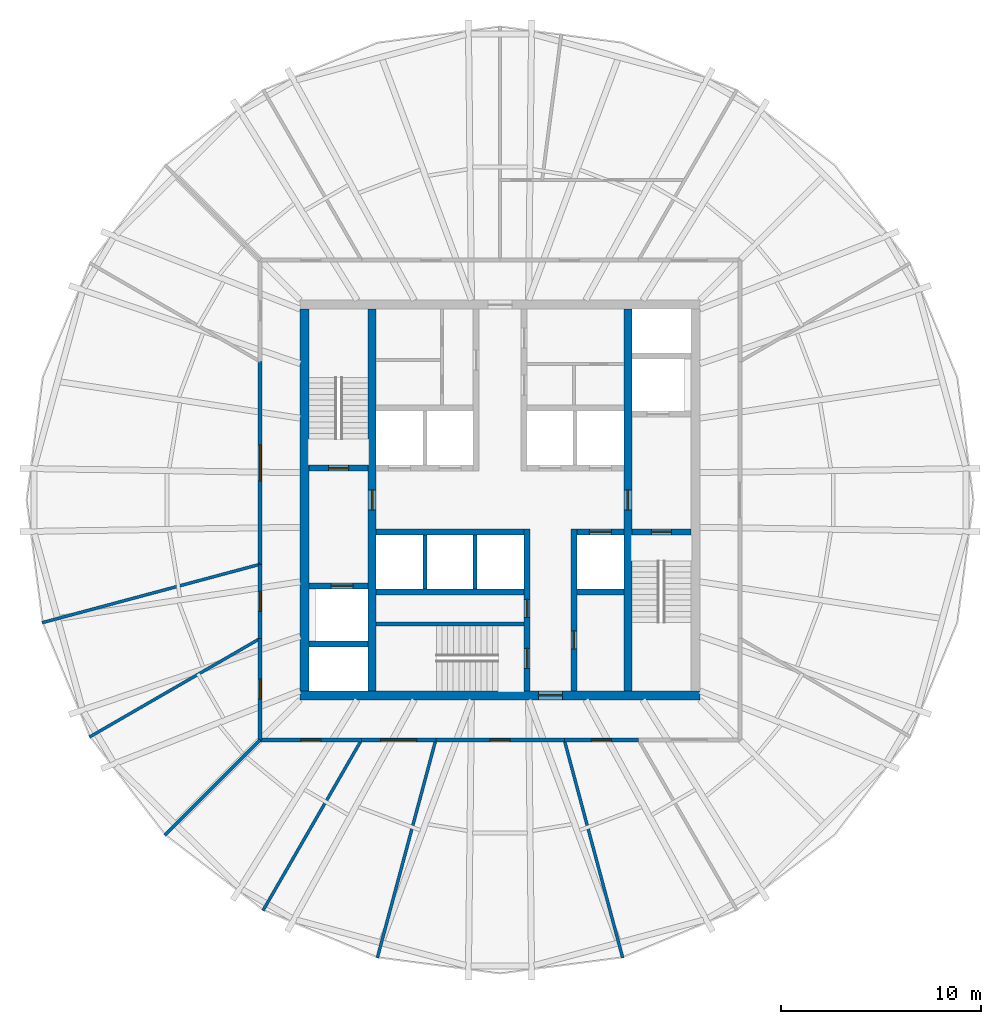
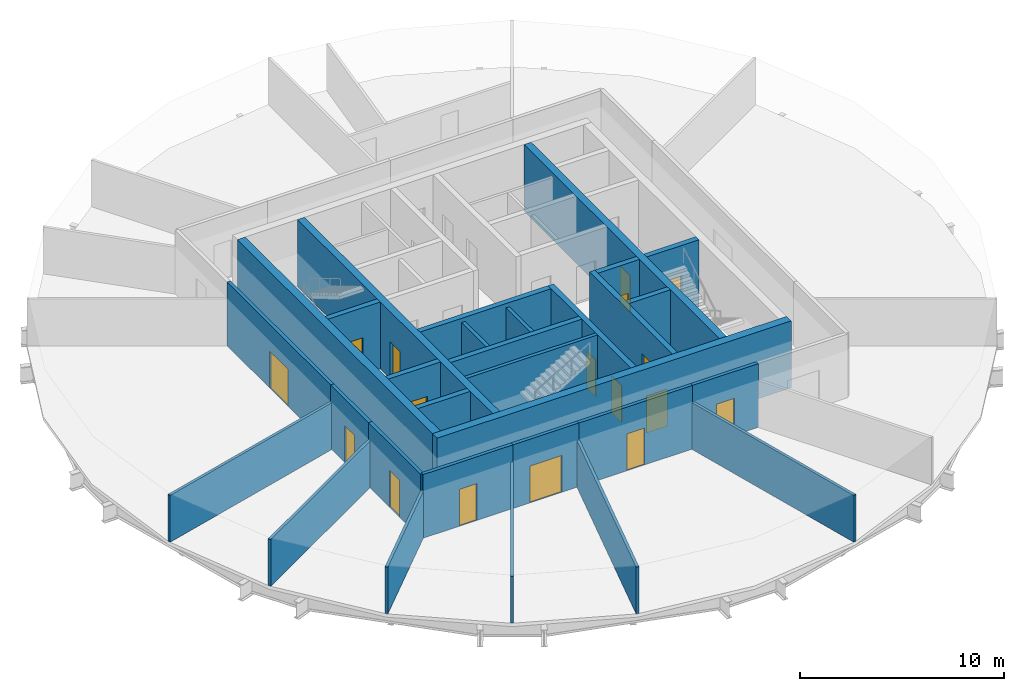
# One storey, part 3 of 6: 30 walls, 17 doors, 17 openings.
"""IFC4 building model written with IfcOpenShell, lengths in metres."""

from ifc_helpers import new_model, si_unit, direction, frame, frame_2d, origin, place, context, subcontext, project, spatial, rectangle, extrude, material, layer, layer_set, type_object, element, fill, save


model = new_model("IFC4")

# Units and contexts
model_context = context("Model", 3, precision=1e-05, world=origin(), true_north=direction((0.0, 1.0)))
body_context = subcontext(model_context, "Body", "Model", "MODEL_VIEW")
ifc_project = project(units=[si_unit("LENGTHUNIT", "METRE"), si_unit("AREAUNIT", "SQUARE_METRE"), si_unit("VOLUMEUNIT", "CUBIC_METRE"), si_unit("PLANEANGLEUNIT", "RADIAN"), si_unit("MASSUNIT", "GRAM", prefix="KILO")], contexts=[model_context])

# Site, building, storey
site_placement = place(None, origin())
site = spatial("IfcSite", under=ifc_project, at=site_placement, CompositionType="ELEMENT")
building_placement = place(site_placement, origin())
building = spatial("IfcBuilding", under=site, at=building_placement, Name="Golbaran Civic Tower", CompositionType="ELEMENT")
storey_placement = place(building_placement, frame((0.0, 0.0, 187.0)))
storey = spatial("IfcBuildingStorey", under=building, at=storey_placement, Name="L45", CompositionType="ELEMENT", Elevation=187.0)

# Wall, opening, door
ifc_material_1 = material(Name="Concrete C50/60", Category="concrete")
ifc_layer_1 = layer(ifc_material_1, 0.39990234375, Name="Concrete C50/60")
ifc_layer_set_1 = layer_set([ifc_layer_1], Name="Concrete C50/60")
wall_type_1 = type_object("IfcWallType", Name="CORE WALL CONCRETE 400", PredefinedType="SOLIDWALL", material=ifc_layer_set_1)
wall_1_placement = place(storey_placement, frame((-6.39990234375, -9.550048828125, 0.0), z_axis=(0.0, 0.0, 1.0), x_axis=(0.0, 1.0, 0.0)))
wall_1 = element("IfcWall", 1, at=wall_1_placement, inside=storey, type_object=wall_type_1, Name="Core wall IW L45", PredefinedType="SOLIDWALL", context=body_context, shape_type="SweptSolid", body=[
    extrude(rectangle(XDim=19.10009765625, YDim=0.39990234375, at=frame_2d((9.550048828125, 0.0))), origin(), (0.0, 0.0, 1.0), 4.0),
])
opening_1_placement = place(wall_1_placement, frame((9.050048828125, 0.0, 0.0)))
opening_1 = element("IfcOpeningElement", 2, at=opening_1_placement, cuts=wall_1, Name="Opening L45.FL1", PredefinedType="OPENING", context=body_context, shape_type="SweptSolid", body=[
    extrude(rectangle(XDim=1.0, YDim=2.199951171875, at=frame_2d((0.5, 1.10009765625))), frame((0.0, 0.2099609375, 0.0), z_axis=(0.0, -1.0, 0.0), x_axis=(1.0, 0.0, 0.0)), (0.0, 0.0, 1.0), 0.419921875),
])
ifc_material_2 = material(Name="Timber door set in steel frame", Category="steel")
door_type_1 = type_object("IfcDoorType", Name="STAIR DOOR 1000x2200", OperationType="SINGLE_SWING_LEFT", PredefinedType="DOOR", material=ifc_material_2)
door_1_placement = place(opening_1_placement, origin())
door_1 = element("IfcDoor", 3, at=door_1_placement, inside=storey, type_object=door_type_1, Name="Fire-fighting lobby FL1 door", OperationType="SINGLE_SWING_LEFT", OverallHeight=2.199951171875, OverallWidth=1.0, PredefinedType="DOOR", context=body_context, shape_type="SweptSolid", body=[
    extrude(rectangle(XDim=1.0, YDim=2.199951171875, at=frame_2d((0.5, 1.10009765625))), frame((0.0, 0.02490234375, 0.0), z_axis=(0.0, -1.0, 0.0), x_axis=(1.0, 0.0, 0.0)), (0.0, 0.0, 1.0), 0.050048828125),
])
fill(opening_1, door_1)

wall_2_placement = place(storey_placement, frame((6.39990234375, 9.550048828125, 0.0), z_axis=(0.0, 0.0, 1.0), x_axis=(0.0, -1.0, 0.0)))
wall_2 = element("IfcWall", 4, at=wall_2_placement, inside=storey, type_object=wall_type_1, Name="Core wall IE L45", PredefinedType="SOLIDWALL", context=body_context, shape_type="SweptSolid", body=[
    extrude(rectangle(XDim=19.10009765625, YDim=0.39990234375, at=frame_2d((9.550048828125, 0.0))), origin(), (0.0, 0.0, 1.0), 4.0),
])
opening_2_placement = place(wall_2_placement, frame((9.050048828125, 0.0, 0.0)))
opening_2 = element("IfcOpeningElement", 5, at=opening_2_placement, cuts=wall_2, Name="Opening L45.FL2", PredefinedType="OPENING", context=body_context, shape_type="SweptSolid", body=[
    extrude(rectangle(XDim=1.0, YDim=2.199951171875, at=frame_2d((0.5, 1.10009765625))), frame((0.0, 0.2099609375, 0.0), z_axis=(0.0, -1.0, 0.0), x_axis=(1.0, 0.0, 0.0)), (0.0, 0.0, 1.0), 0.419921875),
])
door_2_placement = place(opening_2_placement, origin())
door_2 = element("IfcDoor", 6, at=door_2_placement, inside=storey, type_object=door_type_1, Name="Fire-fighting lobby FL2 door", OperationType="SINGLE_SWING_RIGHT", OverallHeight=2.199951171875, OverallWidth=1.0, PredefinedType="DOOR", context=body_context, shape_type="SweptSolid", body=[
    extrude(rectangle(XDim=1.0, YDim=2.199951171875, at=frame_2d((0.5, 1.10009765625))), frame((0.0, 0.02490234375, 0.0), z_axis=(0.0, -1.0, 0.0), x_axis=(1.0, 0.0, 0.0)), (0.0, 0.0, 1.0), 0.050048828125),
])
fill(opening_2, door_2)

ifc_layer_2 = layer(ifc_material_1, 0.449951171875, Name="Concrete C50/60")
ifc_layer_set_2 = layer_set([ifc_layer_2], Name="Concrete C50/60")
wall_type_2 = type_object("IfcWallType", Name="CORE WALL CONCRETE 450", PredefinedType="SOLIDWALL", material=ifc_layer_set_2)
wall_3_placement = place(storey_placement, frame((10.0, -9.77490234375, 0.0), z_axis=(0.0, 0.0, 1.0), x_axis=(-1.0, 0.0, 0.0)))
wall_3 = element("IfcWall", 7, at=wall_3_placement, inside=storey, type_object=wall_type_2, Name="Core wall CS L45", PredefinedType="SOLIDWALL", context=body_context, shape_type="SweptSolid", body=[
    extrude(rectangle(XDim=20.0, YDim=0.449951171875, at=frame_2d((10.0, 0.0))), origin(), (0.0, 0.0, 1.0), 4.0),
])
opening_3_placement = place(wall_3_placement, frame((6.875, 0.0, 0.0)))
opening_3 = element("IfcOpeningElement", 8, at=opening_3_placement, cuts=wall_3, Name="Opening L45.CS", PredefinedType="OPENING", context=body_context, shape_type="SweptSolid", body=[
    extrude(rectangle(XDim=1.199951171875, YDim=2.199951171875, at=frame_2d((0.60009765625, 1.10009765625))), frame((0.0, 0.23486328125, 0.0), z_axis=(0.0, -1.0, 0.0), x_axis=(1.0, 0.0, 0.0)), (0.0, 0.0, 1.0), 0.469970703125),
])
door_type_2 = type_object("IfcDoorType", Name="CORE DOOR 1200x2200", OperationType="DOUBLE_DOOR_SINGLE_SWING", PredefinedType="DOOR", material=ifc_material_2)
door_3_placement = place(opening_3_placement, origin())
door_3 = element("IfcDoor", 9, at=door_3_placement, inside=storey, type_object=door_type_2, Name="Core door south", OperationType="DOUBLE_DOOR_SINGLE_SWING", OverallHeight=2.199951171875, OverallWidth=1.199951171875, PredefinedType="DOOR", context=body_context, shape_type="SweptSolid", body=[
    extrude(rectangle(XDim=1.199951171875, YDim=2.199951171875, at=frame_2d((0.60009765625, 1.10009765625))), frame((0.0, 0.02490234375, 0.0), z_axis=(0.0, -1.0, 0.0), x_axis=(1.0, 0.0, 0.0)), (0.0, 0.0, 1.0), 0.050048828125),
])
fill(opening_3, door_3)

# Wall
wall_4_placement = place(storey_placement, frame((-9.77490234375, 9.550048828125, 0.0), z_axis=(0.0, 0.0, 1.0), x_axis=(0.0, -1.0, 0.0)))
element("IfcWall", 10, at=wall_4_placement, inside=storey, type_object=wall_type_2, Name="Core wall CW L45", PredefinedType="SOLIDWALL", context=body_context, shape_type="SweptSolid", body=[
    extrude(rectangle(XDim=19.10009765625, YDim=0.449951171875, at=frame_2d((9.550048828125, 0.0))), origin(), (0.0, 0.0, 1.0), 4.0),
])

# Wall, opening, door
ifc_material_3 = material(Name="Gypsum board on steel studs, fire-rated", Category="steel")
ifc_layer_3 = layer(ifc_material_3, 0.199951171875, Name="Gypsum board on steel studs, fire-rated")
ifc_layer_set_3 = layer_set([ifc_layer_3], Name="Gypsum board on steel studs, fire-rated")
wall_type_3 = type_object("IfcWallType", Name="CORRIDOR WALL 200", PredefinedType="PARTITIONING", material=ifc_layer_set_3)
wall_5_placement = place(storey_placement, frame((-12.0, 6.92822265625, 0.0), z_axis=(0.0, 0.0, 1.0), x_axis=(0.0, -1.0, 0.0)))
wall_5 = element("IfcWall", 11, at=wall_5_placement, inside=storey, type_object=wall_type_3, Name="Corridor wall L45", PredefinedType="PARTITIONING", context=body_context, shape_type="SweptSolid", body=[
    extrude(rectangle(XDim=10.1435546875, YDim=0.199951171875, at=frame_2d((5.07177734375, 0.0))), origin(), (0.0, 0.0, 1.0), 3.800048828125),
])
opening_4_placement = place(wall_5_placement, frame((4.171875, 0.0, 0.0)))
opening_4 = element("IfcOpeningElement", 12, at=opening_4_placement, cuts=wall_5, Name="Opening L45.10", PredefinedType="OPENING", context=body_context, shape_type="SweptSolid", body=[
    extrude(rectangle(XDim=1.800048828125, YDim=2.199951171875, at=frame_2d((0.89990234375, 1.10009765625))), frame((0.0, 0.10986328125, 0.0), z_axis=(0.0, -1.0, 0.0), x_axis=(1.0, 0.0, 0.0)), (0.0, 0.0, 1.0), 0.219970703125),
])
door_type_3 = type_object("IfcDoorType", Name="OFFICE DOUBLE DOOR 1800x2200", OperationType="DOUBLE_DOOR_SINGLE_SWING", PredefinedType="DOOR", material=ifc_material_2)
door_4_placement = place(opening_4_placement, origin())
door_4 = element("IfcDoor", 13, at=door_4_placement, inside=storey, type_object=door_type_3, Name="IT Services Office door L45", OperationType="DOUBLE_DOOR_SINGLE_SWING", OverallHeight=2.199951171875, OverallWidth=1.800048828125, PredefinedType="DOOR", context=body_context, shape_type="SweptSolid", body=[
    extrude(rectangle(XDim=1.800048828125, YDim=2.199951171875, at=frame_2d((0.89990234375, 1.10009765625))), frame((0.0, 0.02490234375, 0.0), z_axis=(0.0, -1.0, 0.0), x_axis=(1.0, 0.0, 0.0)), (0.0, 0.0, 1.0), 0.050048828125),
])
fill(opening_4, door_4)

wall_6_placement = place(storey_placement, frame((-12.0, -3.21533203125, 0.0), z_axis=(0.0, 0.0, 1.0), x_axis=(0.0, -1.0, 0.0)))
wall_6 = element("IfcWall", 14, at=wall_6_placement, inside=storey, type_object=wall_type_3, Name="Corridor wall L45", PredefinedType="PARTITIONING", context=body_context, shape_type="SweptSolid", body=[
    extrude(rectangle(XDim=3.712890625, YDim=0.199951171875, at=frame_2d((1.8564453125, 0.0))), origin(), (0.0, 0.0, 1.0), 3.800048828125),
])
opening_5_placement = place(wall_6_placement, frame((1.3564453125, 0.0, 0.0)))
opening_5 = element("IfcOpeningElement", 15, at=opening_5_placement, cuts=wall_6, Name="Opening L45.11", PredefinedType="OPENING", context=body_context, shape_type="SweptSolid", body=[
    extrude(rectangle(XDim=1.0, YDim=2.199951171875, at=frame_2d((0.5, 1.10009765625))), frame((0.0, 0.10986328125, 0.0), z_axis=(0.0, -1.0, 0.0), x_axis=(1.0, 0.0, 0.0)), (0.0, 0.0, 1.0), 0.219970703125),
])
door_type_4 = type_object("IfcDoorType", Name="OFFICE DOOR 1000x2200", OperationType="SINGLE_SWING_LEFT", PredefinedType="DOOR", material=ifc_material_2)
door_5_placement = place(opening_5_placement, origin())
door_5 = element("IfcDoor", 16, at=door_5_placement, inside=storey, type_object=door_type_4, Name="Project Room door L45", OperationType="SINGLE_SWING_RIGHT", OverallHeight=2.199951171875, OverallWidth=1.0, PredefinedType="DOOR", context=body_context, shape_type="SweptSolid", body=[
    extrude(rectangle(XDim=1.0, YDim=2.199951171875, at=frame_2d((0.5, 1.10009765625))), frame((0.0, 0.02490234375, 0.0), z_axis=(0.0, -1.0, 0.0), x_axis=(1.0, 0.0, 0.0)), (0.0, 0.0, 1.0), 0.050048828125),
])
fill(opening_5, door_5)

wall_7_placement = place(storey_placement, frame((-12.0, -6.92822265625, 0.0), z_axis=(0.0, 0.0, 1.0), x_axis=(0.0, -1.0, 0.0)))
wall_7 = element("IfcWall", 17, at=wall_7_placement, inside=storey, type_object=wall_type_3, Name="Corridor wall L45", PredefinedType="PARTITIONING", context=body_context, shape_type="SweptSolid", body=[
    extrude(rectangle(XDim=5.07177734375, YDim=0.199951171875, at=frame_2d((2.535888671875, 0.0))), origin(), (0.0, 0.0, 1.0), 3.800048828125),
])
opening_6_placement = place(wall_7_placement, frame((2.035888671875, 0.0, 0.0)))
opening_6 = element("IfcOpeningElement", 18, at=opening_6_placement, cuts=wall_7, Name="Opening L45.12", PredefinedType="OPENING", context=body_context, shape_type="SweptSolid", body=[
    extrude(rectangle(XDim=1.0, YDim=2.199951171875, at=frame_2d((0.5, 1.10009765625))), frame((0.0, 0.10986328125, 0.0), z_axis=(0.0, -1.0, 0.0), x_axis=(1.0, 0.0, 0.0)), (0.0, 0.0, 1.0), 0.219970703125),
])
door_6_placement = place(opening_6_placement, origin())
door_6 = element("IfcDoor", 19, at=door_6_placement, inside=storey, type_object=door_type_4, Name="Meeting Room door L45", OperationType="SINGLE_SWING_RIGHT", OverallHeight=2.199951171875, OverallWidth=1.0, PredefinedType="DOOR", context=body_context, shape_type="SweptSolid", body=[
    extrude(rectangle(XDim=1.0, YDim=2.199951171875, at=frame_2d((0.5, 1.10009765625))), frame((0.0, 0.02490234375, 0.0), z_axis=(0.0, -1.0, 0.0), x_axis=(1.0, 0.0, 0.0)), (0.0, 0.0, 1.0), 0.050048828125),
])
fill(opening_6, door_6)

wall_8_placement = place(storey_placement, frame((-12.0, -12.0, 0.0), z_axis=(0.0, 0.0, 1.0), x_axis=(1.0, 0.0, 0.0)))
wall_8 = element("IfcWall", 20, at=wall_8_placement, inside=storey, type_object=wall_type_3, Name="Corridor wall L45", PredefinedType="PARTITIONING", context=body_context, shape_type="SweptSolid", body=[
    extrude(rectangle(XDim=5.07177734375, YDim=0.199951171875, at=frame_2d((2.535888671875, 0.0))), origin(), (0.0, 0.0, 1.0), 3.800048828125),
])
opening_7_placement = place(wall_8_placement, frame((2.035888671875, 0.0, 0.0)))
opening_7 = element("IfcOpeningElement", 21, at=opening_7_placement, cuts=wall_8, Name="Opening L45.13", PredefinedType="OPENING", context=body_context, shape_type="SweptSolid", body=[
    extrude(rectangle(XDim=1.0, YDim=2.199951171875, at=frame_2d((0.5, 1.10009765625))), frame((0.0, 0.10986328125, 0.0), z_axis=(0.0, -1.0, 0.0), x_axis=(1.0, 0.0, 0.0)), (0.0, 0.0, 1.0), 0.219970703125),
])
door_7_placement = place(opening_7_placement, origin())
door_7 = element("IfcDoor", 22, at=door_7_placement, inside=storey, type_object=door_type_4, Name="Store door L45", OperationType="SINGLE_SWING_LEFT", OverallHeight=2.199951171875, OverallWidth=1.0, PredefinedType="DOOR", context=body_context, shape_type="SweptSolid", body=[
    extrude(rectangle(XDim=1.0, YDim=2.199951171875, at=frame_2d((0.5, 1.10009765625))), frame((0.0, 0.02490234375, 0.0), z_axis=(0.0, -1.0, 0.0), x_axis=(1.0, 0.0, 0.0)), (0.0, 0.0, 1.0), 0.050048828125),
])
fill(opening_7, door_7)

wall_9_placement = place(storey_placement, frame((-6.92822265625, -12.0, 0.0), z_axis=(0.0, 0.0, 1.0), x_axis=(1.0, 0.0, 0.0)))
wall_9 = element("IfcWall", 23, at=wall_9_placement, inside=storey, type_object=wall_type_3, Name="Corridor wall L45", PredefinedType="PARTITIONING", context=body_context, shape_type="SweptSolid", body=[
    extrude(rectangle(XDim=3.712890625, YDim=0.199951171875, at=frame_2d((1.8564453125, 0.0))), origin(), (0.0, 0.0, 1.0), 3.800048828125),
])
opening_8_placement = place(wall_9_placement, frame((0.956298828125, 0.0, 0.0)))
opening_8 = element("IfcOpeningElement", 24, at=opening_8_placement, cuts=wall_9, Name="Opening L45.14", PredefinedType="OPENING", context=body_context, shape_type="SweptSolid", body=[
    extrude(rectangle(XDim=1.800048828125, YDim=2.199951171875, at=frame_2d((0.89990234375, 1.10009765625))), frame((0.0, 0.10986328125, 0.0), z_axis=(0.0, -1.0, 0.0), x_axis=(1.0, 0.0, 0.0)), (0.0, 0.0, 1.0), 0.219970703125),
])
door_8_placement = place(opening_8_placement, origin())
door_8 = element("IfcDoor", 25, at=door_8_placement, inside=storey, type_object=door_type_3, Name="GIS and Mapping Office door L45", OperationType="DOUBLE_DOOR_SINGLE_SWING", OverallHeight=2.199951171875, OverallWidth=1.800048828125, PredefinedType="DOOR", context=body_context, shape_type="SweptSolid", body=[
    extrude(rectangle(XDim=1.800048828125, YDim=2.199951171875, at=frame_2d((0.89990234375, 1.10009765625))), frame((0.0, 0.02490234375, 0.0), z_axis=(0.0, -1.0, 0.0), x_axis=(1.0, 0.0, 0.0)), (0.0, 0.0, 1.0), 0.050048828125),
])
fill(opening_8, door_8)

wall_10_placement = place(storey_placement, frame((-3.21533203125, -12.0, 0.0), z_axis=(0.0, 0.0, 1.0), x_axis=(1.0, 0.0, 0.0)))
wall_10 = element("IfcWall", 26, at=wall_10_placement, inside=storey, type_object=wall_type_3, Name="Corridor wall L45", PredefinedType="PARTITIONING", context=body_context, shape_type="SweptSolid", body=[
    extrude(rectangle(XDim=6.4306640625, YDim=0.199951171875, at=frame_2d((3.21533203125, 0.0))), origin(), (0.0, 0.0, 1.0), 3.800048828125),
])
opening_9_placement = place(wall_10_placement, frame((2.71533203125, 0.0, 0.0)))
opening_9 = element("IfcOpeningElement", 27, at=opening_9_placement, cuts=wall_10, Name="Opening L45.15", PredefinedType="OPENING", context=body_context, shape_type="SweptSolid", body=[
    extrude(rectangle(XDim=1.0, YDim=2.199951171875, at=frame_2d((0.5, 1.10009765625))), frame((0.0, 0.10986328125, 0.0), z_axis=(0.0, -1.0, 0.0), x_axis=(1.0, 0.0, 0.0)), (0.0, 0.0, 1.0), 0.219970703125),
])
door_9_placement = place(opening_9_placement, origin())
door_9 = element("IfcDoor", 28, at=door_9_placement, inside=storey, type_object=door_type_4, Name="Project Room door L45", OperationType="SINGLE_SWING_LEFT", OverallHeight=2.199951171875, OverallWidth=1.0, PredefinedType="DOOR", context=body_context, shape_type="SweptSolid", body=[
    extrude(rectangle(XDim=1.0, YDim=2.199951171875, at=frame_2d((0.5, 1.10009765625))), frame((0.0, 0.02490234375, 0.0), z_axis=(0.0, -1.0, 0.0), x_axis=(1.0, 0.0, 0.0)), (0.0, 0.0, 1.0), 0.050048828125),
])
fill(opening_9, door_9)

wall_11_placement = place(storey_placement, frame((3.21533203125, -12.0, 0.0), z_axis=(0.0, 0.0, 1.0), x_axis=(1.0, 0.0, 0.0)))
wall_11 = element("IfcWall", 29, at=wall_11_placement, inside=storey, type_object=wall_type_3, Name="Corridor wall L45", PredefinedType="PARTITIONING", context=body_context, shape_type="SweptSolid", body=[
    extrude(rectangle(XDim=3.712890625, YDim=0.199951171875, at=frame_2d((1.8564453125, 0.0))), origin(), (0.0, 0.0, 1.0), 3.800048828125),
])
opening_10_placement = place(wall_11_placement, frame((1.3564453125, 0.0, 0.0)))
opening_10 = element("IfcOpeningElement", 30, at=opening_10_placement, cuts=wall_11, Name="Opening L45.16", PredefinedType="OPENING", context=body_context, shape_type="SweptSolid", body=[
    extrude(rectangle(XDim=1.0, YDim=2.199951171875, at=frame_2d((0.5, 1.10009765625))), frame((0.0, 0.10986328125, 0.0), z_axis=(0.0, -1.0, 0.0), x_axis=(1.0, 0.0, 0.0)), (0.0, 0.0, 1.0), 0.219970703125),
])
door_10_placement = place(opening_10_placement, origin())
door_10 = element("IfcDoor", 31, at=door_10_placement, inside=storey, type_object=door_type_4, Name="Store door L45", OperationType="SINGLE_SWING_LEFT", OverallHeight=2.199951171875, OverallWidth=1.0, PredefinedType="DOOR", context=body_context, shape_type="SweptSolid", body=[
    extrude(rectangle(XDim=1.0, YDim=2.199951171875, at=frame_2d((0.5, 1.10009765625))), frame((0.0, 0.02490234375, 0.0), z_axis=(0.0, -1.0, 0.0), x_axis=(1.0, 0.0, 0.0)), (0.0, 0.0, 1.0), 0.050048828125),
])
fill(opening_10, door_10)

# Walls
ifc_material_4 = material(Name="Concrete block", Category="concrete")
ifc_layer_4 = layer(ifc_material_4, 0.199951171875, Name="Concrete block")
ifc_layer_set_4 = layer_set([ifc_layer_4], Name="Concrete block")
wall_type_4 = type_object("IfcWallType", Name="LIFT SEPARATOR WALL 200", PredefinedType="SOLIDWALL", material=ifc_layer_set_4)
for number, where, z_axis, x_axis, name in (
    (32, (-3.75, -1.75, 0.0), (0.0, 0.0, 1.0), (0.0, -1.0, 0.0), "Core partition SSW L45"),
    (33, (-1.25, -1.75, 0.0), (0.0, 0.0, 1.0), (0.0, -1.0, 0.0), "Core partition SSM L45"),
):
    element("IfcWall", number, at=place(storey_placement, frame(where, z_axis=z_axis, x_axis=x_axis)), inside=storey, type_object=wall_type_4, Name=name, PredefinedType="SOLIDWALL", context=body_context, shape_type="SweptSolid", body=[
        extrude(rectangle(XDim=2.699951171875, YDim=0.199951171875, at=frame_2d((1.35009765625, 0.0))), origin(), (0.0, 0.0, 1.0), 3.75),
    ])
ifc_material_5 = material(Name="Gypsum board on steel studs", Category="steel")
ifc_layer_5 = layer(ifc_material_5, 0.14990234375, Name="Gypsum board on steel studs")
ifc_layer_set_5 = layer_set([ifc_layer_5], Name="Gypsum board on steel studs")
wall_type_5 = type_object("IfcWallType", Name="OFFICE PARTITION 150", PredefinedType="PARTITIONING", material=ifc_layer_set_5)
wall_12_placement = place(storey_placement, frame((-12.0, -3.21533203125, 0.0), z_axis=(0.0, 0.0, 1.0), x_axis=(-0.965926155577, -0.258817816178, 0.0)))
element("IfcWall", 34, at=wall_12_placement, inside=storey, type_object=wall_type_5, Name="Partition 195 L45", PredefinedType="PARTITIONING", context=body_context, shape_type="SweptSolid", body=[
    extrude(rectangle(XDim=11.2978515625, YDim=0.14990234375, at=frame_2d((5.64892578125, 0.0))), origin(), (0.0, 0.0, 1.0), 2.7900390625),
])
wall_13_placement = place(storey_placement, frame((-12.0, -6.92822265625, 0.0), z_axis=(0.0, 0.0, 1.0), x_axis=(-0.866027739639, -0.49999595416, 0.0)))
element("IfcWall", 35, at=wall_13_placement, inside=storey, type_object=wall_type_5, Name="Partition 210 L45", PredefinedType="PARTITIONING", context=body_context, shape_type="SweptSolid", body=[
    extrude(rectangle(XDim=9.86474609375, YDim=0.14990234375, at=frame_2d((4.932373046875, 0.0))), origin(), (0.0, 0.0, 1.0), 2.7900390625),
])
wall_14_placement = place(storey_placement, frame((-12.0, -12.0, 0.0), z_axis=(0.0, 0.0, 1.0), x_axis=(-0.707106781187, -0.707106781187, 0.0)))
element("IfcWall", 36, at=wall_14_placement, inside=storey, type_object=wall_type_5, Name="Partition 225 L45", PredefinedType="PARTITIONING", context=body_context, shape_type="SweptSolid", body=[
    extrude(rectangle(XDim=6.750732421875, YDim=0.14990234375, at=frame_2d((3.37548828125, 0.0))), origin(), (0.0, 0.0, 1.0), 2.7900390625),
])
wall_15_placement = place(storey_placement, frame((-6.92822265625, -12.0, 0.0), z_axis=(0.0, 0.0, 1.0), x_axis=(-0.49999595416, -0.866027739639, 0.0)))
element("IfcWall", 37, at=wall_15_placement, inside=storey, type_object=wall_type_5, Name="Partition 240 L45", PredefinedType="PARTITIONING", context=body_context, shape_type="SweptSolid", body=[
    extrude(rectangle(XDim=9.86474609375, YDim=0.14990234375, at=frame_2d((4.932373046875, 0.0))), origin(), (0.0, 0.0, 1.0), 2.7900390625),
])
for number, where, z_axis, x_axis, name in (
    (38, (-3.21533203125, -12.0, 0.0), (0.0, 0.0, 1.0), (-0.258817816178, -0.965926155577, 0.0), "Partition 255 L45"),
    (39, (3.21533203125, -12.0, 0.0), (0.0, 0.0, 1.0), (0.258817816178, -0.965926155577, 0.0), "Partition 285 L45"),
):
    element("IfcWall", number, at=place(storey_placement, frame(where, z_axis=z_axis, x_axis=x_axis)), inside=storey, type_object=wall_type_5, Name=name, PredefinedType="PARTITIONING", context=body_context, shape_type="SweptSolid", body=[
        extrude(rectangle(XDim=11.2978515625, YDim=0.14990234375, at=frame_2d((5.64892578125, 0.0))), origin(), (0.0, 0.0, 1.0), 2.7900390625),
    ])
ifc_layer_6 = layer(ifc_material_1, 0.199951171875, Name="Concrete C50/60")
ifc_layer_set_6 = layer_set([ifc_layer_6], Name="Concrete C50/60")
wall_type_6 = type_object("IfcWallType", Name="SHAFT WALL CONCRETE 200", PredefinedType="SOLIDWALL", material=ifc_layer_set_6)
wall_16_placement = place(storey_placement, frame((-6.199951171875, -6.199951171875, 0.0), z_axis=(0.0, 0.0, 1.0), x_axis=(1.0, 0.0, 0.0)))
element("IfcWall", 40, at=wall_16_placement, inside=storey, type_object=wall_type_6, Name="Core wall S3N L45", PredefinedType="SOLIDWALL", context=body_context, shape_type="SweptSolid", body=[
    extrude(rectangle(XDim=7.39990234375, YDim=0.199951171875, at=frame_2d((3.699951171875, 0.0))), origin(), (0.0, 0.0, 1.0), 4.0),
])
ifc_layer_7 = layer(ifc_material_1, 0.300048828125, Name="Concrete C50/60")
ifc_layer_set_7 = layer_set([ifc_layer_7], Name="Concrete C50/60")
wall_type_7 = type_object("IfcWallType", Name="SHAFT WALL CONCRETE 300", PredefinedType="SOLIDWALL", material=ifc_layer_set_7)
wall_17_placement = place(storey_placement, frame((-6.199951171875, -1.60009765625, 0.0), z_axis=(0.0, 0.0, 1.0), x_axis=(1.0, 0.0, 0.0)))
element("IfcWall", 41, at=wall_17_placement, inside=storey, type_object=wall_type_7, Name="Core wall FSW L45", PredefinedType="SOLIDWALL", context=body_context, shape_type="SweptSolid", body=[
    extrude(rectangle(XDim=7.39990234375, YDim=0.300048828125, at=frame_2d((3.699951171875, 0.0))), origin(), (0.0, 0.0, 1.0), 4.0),
])

# Wall, opening, door
wall_18_placement = place(storey_placement, frame((3.85009765625, -1.60009765625, 0.0), z_axis=(0.0, 0.0, 1.0), x_axis=(1.0, 0.0, 0.0)))
wall_18 = element("IfcWall", 42, at=wall_18_placement, inside=storey, type_object=wall_type_7, Name="Core wall FSE L45", PredefinedType="SOLIDWALL", context=body_context, shape_type="SweptSolid", body=[
    extrude(rectangle(XDim=2.349853515625, YDim=0.300048828125, at=frame_2d((1.1748046875, 0.0))), origin(), (0.0, 0.0, 1.0), 4.0),
])
opening_11_placement = place(wall_18_placement, frame((0.625, 0.0, 0.0)))
opening_11 = element("IfcOpeningElement", 43, at=opening_11_placement, cuts=wall_18, Name="Opening L45.LD-V1", PredefinedType="OPENING", context=body_context, shape_type="SweptSolid", body=[
    extrude(rectangle(XDim=1.10009765625, YDim=2.199951171875, at=frame_2d((0.550048828125, 1.10009765625))), frame((0.0, 0.159912109375, 0.0), z_axis=(0.0, -1.0, 0.0), x_axis=(1.0, 0.0, 0.0)), (0.0, 0.0, 1.0), 0.320068359375),
])
ifc_material_6 = material(Name="Stainless steel", Category="steel")
door_type_5 = type_object("IfcDoorType", Name="LIFT LANDING DOOR 1100x2200", OperationType="SLIDING_TO_LEFT", PredefinedType="DOOR", material=ifc_material_6)
door_11_placement = place(opening_11_placement, origin())
door_11 = element("IfcDoor", 44, at=door_11_placement, inside=storey, type_object=door_type_5, Name="Lift landing door V1", OperationType="SLIDING_TO_LEFT", OverallHeight=2.199951171875, OverallWidth=1.10009765625, PredefinedType="DOOR", context=body_context, shape_type="SweptSolid", body=[
    extrude(rectangle(XDim=1.10009765625, YDim=2.199951171875, at=frame_2d((0.550048828125, 1.10009765625))), frame((0.0, 0.02490234375, 0.0), z_axis=(0.0, -1.0, 0.0), x_axis=(1.0, 0.0, 0.0)), (0.0, 0.0, 1.0), 0.050048828125),
])
fill(opening_11, door_11)

# Walls
wall_19_placement = place(storey_placement, frame((-6.199951171875, -4.60009765625, 0.0), z_axis=(0.0, 0.0, 1.0), x_axis=(1.0, 0.0, 0.0)))
element("IfcWall", 45, at=wall_19_placement, inside=storey, type_object=wall_type_7, Name="Core wall BSW L45", PredefinedType="SOLIDWALL", context=body_context, shape_type="SweptSolid", body=[
    extrude(rectangle(XDim=7.39990234375, YDim=0.300048828125, at=frame_2d((3.699951171875, 0.0))), origin(), (0.0, 0.0, 1.0), 4.0),
])
wall_20_placement = place(storey_placement, frame((3.85009765625, -4.60009765625, 0.0), z_axis=(0.0, 0.0, 1.0), x_axis=(1.0, 0.0, 0.0)))
element("IfcWall", 46, at=wall_20_placement, inside=storey, type_object=wall_type_7, Name="Core wall BSE L45", PredefinedType="SOLIDWALL", context=body_context, shape_type="SweptSolid", body=[
    extrude(rectangle(XDim=2.349853515625, YDim=0.300048828125, at=frame_2d((1.1748046875, 0.0))), origin(), (0.0, 0.0, 1.0), 4.0),
])

# Wall, openings, doors
wall_21_placement = place(storey_placement, frame((1.35009765625, -1.449951171875, 0.0), z_axis=(0.0, 0.0, 1.0), x_axis=(0.0, -1.0, 0.0)))
wall_21 = element("IfcWall", 47, at=wall_21_placement, inside=storey, type_object=wall_type_7, Name="Core wall PSW L45", PredefinedType="SOLIDWALL", context=body_context, shape_type="SweptSolid", body=[
    extrude(rectangle(XDim=8.10009765625, YDim=0.300048828125, at=frame_2d((4.050048828125, 0.0))), origin(), (0.0, 0.0, 1.0), 4.0),
])
opening_12_placement = place(wall_21_placement, frame((5.97509765625, 0.0, 0.0)))
opening_12 = element("IfcOpeningElement", 48, at=opening_12_placement, cuts=wall_21, Name="Opening L45.S3", PredefinedType="OPENING", context=body_context, shape_type="SweptSolid", body=[
    extrude(rectangle(XDim=1.0, YDim=2.199951171875, at=frame_2d((0.5, 1.10009765625))), frame((0.0, 0.159912109375, 0.0), z_axis=(0.0, -1.0, 0.0), x_axis=(1.0, 0.0, 0.0)), (0.0, 0.0, 1.0), 0.320068359375),
])
opening_13_placement = place(wall_21_placement, frame((3.52490234375, 0.0, 0.0)))
opening_13 = element("IfcOpeningElement", 49, at=opening_13_placement, cuts=wall_21, Name="Opening L45.RE", PredefinedType="OPENING", context=body_context, shape_type="SweptSolid", body=[
    extrude(rectangle(XDim=0.89990234375, YDim=2.199951171875, at=frame_2d((0.449951171875, 1.10009765625))), frame((0.0, 0.159912109375, 0.0), z_axis=(0.0, -1.0, 0.0), x_axis=(1.0, 0.0, 0.0)), (0.0, 0.0, 1.0), 0.320068359375),
])
door_type_6 = type_object("IfcDoorType", Name="RISER DOOR 900x2200", OperationType="SINGLE_SWING_LEFT", PredefinedType="DOOR", material=ifc_material_2)
door_12_placement = place(opening_13_placement, origin())
door_12 = element("IfcDoor", 50, at=door_12_placement, inside=storey, type_object=door_type_6, Name="Electrical riser door", OperationType="SINGLE_SWING_LEFT", OverallHeight=2.199951171875, OverallWidth=0.89990234375, PredefinedType="DOOR", context=body_context, shape_type="SweptSolid", body=[
    extrude(rectangle(XDim=0.89990234375, YDim=2.199951171875, at=frame_2d((0.449951171875, 1.10009765625))), frame((0.0, 0.02490234375, 0.0), z_axis=(0.0, -1.0, 0.0), x_axis=(1.0, 0.0, 0.0)), (0.0, 0.0, 1.0), 0.050048828125),
])
fill(opening_13, door_12)
door_13_placement = place(opening_12_placement, origin())
door_13 = element("IfcDoor", 51, at=door_13_placement, inside=storey, type_object=door_type_1, Name="Stair S3 door", OperationType="SINGLE_SWING_RIGHT", OverallHeight=2.199951171875, OverallWidth=1.0, PredefinedType="DOOR", context=body_context, shape_type="SweptSolid", body=[
    extrude(rectangle(XDim=1.0, YDim=2.199951171875, at=frame_2d((0.5, 1.10009765625))), frame((0.0, 0.02490234375, 0.0), z_axis=(0.0, -1.0, 0.0), x_axis=(1.0, 0.0, 0.0)), (0.0, 0.0, 1.0), 0.050048828125),
])
fill(opening_12, door_13)

# Wall, opening, door
wall_22_placement = place(storey_placement, frame((3.699951171875, -1.449951171875, 0.0), z_axis=(0.0, 0.0, 1.0), x_axis=(0.0, -1.0, 0.0)))
wall_22 = element("IfcWall", 52, at=wall_22_placement, inside=storey, type_object=wall_type_7, Name="Core wall PSE L45", PredefinedType="SOLIDWALL", context=body_context, shape_type="SweptSolid", body=[
    extrude(rectangle(XDim=8.10009765625, YDim=0.300048828125, at=frame_2d((4.050048828125, 0.0))), origin(), (0.0, 0.0, 1.0), 4.0),
])
opening_14_placement = place(wall_22_placement, frame((5.10009765625, 0.0, 0.0)))
opening_14 = element("IfcOpeningElement", 53, at=opening_14_placement, cuts=wall_22, Name="Opening L45.RM", PredefinedType="OPENING", context=body_context, shape_type="SweptSolid", body=[
    extrude(rectangle(XDim=0.89990234375, YDim=2.199951171875, at=frame_2d((0.449951171875, 1.10009765625))), frame((0.0, 0.159912109375, 0.0), z_axis=(0.0, -1.0, 0.0), x_axis=(1.0, 0.0, 0.0)), (0.0, 0.0, 1.0), 0.320068359375),
])
door_14_placement = place(opening_14_placement, origin())
door_14 = element("IfcDoor", 54, at=door_14_placement, inside=storey, type_object=door_type_6, Name="Mechanical riser door", OperationType="SINGLE_SWING_RIGHT", OverallHeight=2.199951171875, OverallWidth=0.89990234375, PredefinedType="DOOR", context=body_context, shape_type="SweptSolid", body=[
    extrude(rectangle(XDim=0.89990234375, YDim=2.199951171875, at=frame_2d((0.449951171875, 1.10009765625))), frame((0.0, 0.02490234375, 0.0), z_axis=(0.0, -1.0, 0.0), x_axis=(1.0, 0.0, 0.0)), (0.0, 0.0, 1.0), 0.050048828125),
])
fill(opening_14, door_14)

wall_23_placement = place(storey_placement, frame((-9.550048828125, 1.60009765625, 0.0), z_axis=(0.0, 0.0, 1.0), x_axis=(1.0, 0.0, 0.0)))
wall_23 = element("IfcWall", 55, at=wall_23_placement, inside=storey, type_object=wall_type_7, Name="Core wall XW1 L45", PredefinedType="SOLIDWALL", context=body_context, shape_type="SweptSolid", body=[
    extrude(rectangle(XDim=2.949951171875, YDim=0.300048828125, at=frame_2d((1.47509765625, 0.0))), origin(), (0.0, 0.0, 1.0), 4.0),
])
opening_15_placement = place(wall_23_placement, frame((0.97509765625, 0.0, 0.0)))
opening_15 = element("IfcOpeningElement", 56, at=opening_15_placement, cuts=wall_23, Name="Opening L45.S1", PredefinedType="OPENING", context=body_context, shape_type="SweptSolid", body=[
    extrude(rectangle(XDim=1.0, YDim=2.199951171875, at=frame_2d((0.5, 1.10009765625))), frame((0.0, 0.159912109375, 0.0), z_axis=(0.0, -1.0, 0.0), x_axis=(1.0, 0.0, 0.0)), (0.0, 0.0, 1.0), 0.320068359375),
])
door_15_placement = place(opening_15_placement, origin())
door_15 = element("IfcDoor", 57, at=door_15_placement, inside=storey, type_object=door_type_1, Name="Stair S1 door", OperationType="SINGLE_SWING_LEFT", OverallHeight=2.199951171875, OverallWidth=1.0, PredefinedType="DOOR", context=body_context, shape_type="SweptSolid", body=[
    extrude(rectangle(XDim=1.0, YDim=2.199951171875, at=frame_2d((0.5, 1.10009765625))), frame((0.0, 0.02490234375, 0.0), z_axis=(0.0, -1.0, 0.0), x_axis=(1.0, 0.0, 0.0)), (0.0, 0.0, 1.0), 0.050048828125),
])
fill(opening_15, door_15)

wall_24_placement = place(storey_placement, frame((6.60009765625, -1.60009765625, 0.0), z_axis=(0.0, 0.0, 1.0), x_axis=(1.0, 0.0, 0.0)))
wall_24 = element("IfcWall", 58, at=wall_24_placement, inside=storey, type_object=wall_type_7, Name="Core wall XE1 L45", PredefinedType="SOLIDWALL", context=body_context, shape_type="SweptSolid", body=[
    extrude(rectangle(XDim=2.949951171875, YDim=0.300048828125, at=frame_2d((1.47509765625, 0.0))), origin(), (0.0, 0.0, 1.0), 4.0),
])
opening_16_placement = place(wall_24_placement, frame((0.97509765625, 0.0, 0.0)))
opening_16 = element("IfcOpeningElement", 59, at=opening_16_placement, cuts=wall_24, Name="Opening L45.S2", PredefinedType="OPENING", context=body_context, shape_type="SweptSolid", body=[
    extrude(rectangle(XDim=1.0, YDim=2.199951171875, at=frame_2d((0.5, 1.10009765625))), frame((0.0, 0.159912109375, 0.0), z_axis=(0.0, -1.0, 0.0), x_axis=(1.0, 0.0, 0.0)), (0.0, 0.0, 1.0), 0.320068359375),
])
door_16_placement = place(opening_16_placement, origin())
door_16 = element("IfcDoor", 60, at=door_16_placement, inside=storey, type_object=door_type_1, Name="Stair S2 door", OperationType="SINGLE_SWING_LEFT", OverallHeight=2.199951171875, OverallWidth=1.0, PredefinedType="DOOR", context=body_context, shape_type="SweptSolid", body=[
    extrude(rectangle(XDim=1.0, YDim=2.199951171875, at=frame_2d((0.5, 1.10009765625))), frame((0.0, 0.02490234375, 0.0), z_axis=(0.0, -1.0, 0.0), x_axis=(1.0, 0.0, 0.0)), (0.0, 0.0, 1.0), 0.050048828125),
])
fill(opening_16, door_16)

wall_25_placement = place(storey_placement, frame((-9.550048828125, -4.300048828125, 0.0), z_axis=(0.0, 0.0, 1.0), x_axis=(1.0, 0.0, 0.0)))
wall_25 = element("IfcWall", 61, at=wall_25_placement, inside=storey, type_object=wall_type_7, Name="Core wall XW2 L45", PredefinedType="SOLIDWALL", context=body_context, shape_type="SweptSolid", body=[
    extrude(rectangle(XDim=2.949951171875, YDim=0.300048828125, at=frame_2d((1.47509765625, 0.0))), origin(), (0.0, 0.0, 1.0), 4.0),
])
opening_17_placement = place(wall_25_placement, frame((1.10009765625, 0.0, 0.0)))
opening_17 = element("IfcOpeningElement", 62, at=opening_17_placement, cuts=wall_25, Name="Opening L45.LD-F1", PredefinedType="OPENING", context=body_context, shape_type="SweptSolid", body=[
    extrude(rectangle(XDim=1.10009765625, YDim=2.199951171875, at=frame_2d((0.550048828125, 1.10009765625))), frame((0.0, 0.159912109375, 0.0), z_axis=(0.0, -1.0, 0.0), x_axis=(1.0, 0.0, 0.0)), (0.0, 0.0, 1.0), 0.320068359375),
])
door_17_placement = place(opening_17_placement, origin())
door_17 = element("IfcDoor", 63, at=door_17_placement, inside=storey, type_object=door_type_5, Name="Lift landing door F1", OperationType="SLIDING_TO_LEFT", OverallHeight=2.199951171875, OverallWidth=1.10009765625, PredefinedType="DOOR", context=body_context, shape_type="SweptSolid", body=[
    extrude(rectangle(XDim=1.10009765625, YDim=2.199951171875, at=frame_2d((0.550048828125, 1.10009765625))), frame((0.0, 0.02490234375, 0.0), z_axis=(0.0, -1.0, 0.0), x_axis=(1.0, 0.0, 0.0)), (0.0, 0.0, 1.0), 0.050048828125),
])
fill(opening_17, door_17)

# Wall
wall_26_placement = place(storey_placement, frame((-9.550048828125, -7.199951171875, 0.0), z_axis=(0.0, 0.0, 1.0), x_axis=(1.0, 0.0, 0.0)))
element("IfcWall", 64, at=wall_26_placement, inside=storey, type_object=wall_type_7, Name="Core wall XW3 L45", PredefinedType="SOLIDWALL", context=body_context, shape_type="SweptSolid", body=[
    extrude(rectangle(XDim=2.949951171875, YDim=0.300048828125, at=frame_2d((1.47509765625, 0.0))), origin(), (0.0, 0.0, 1.0), 4.0),
])

save(model, "model.ifc")
